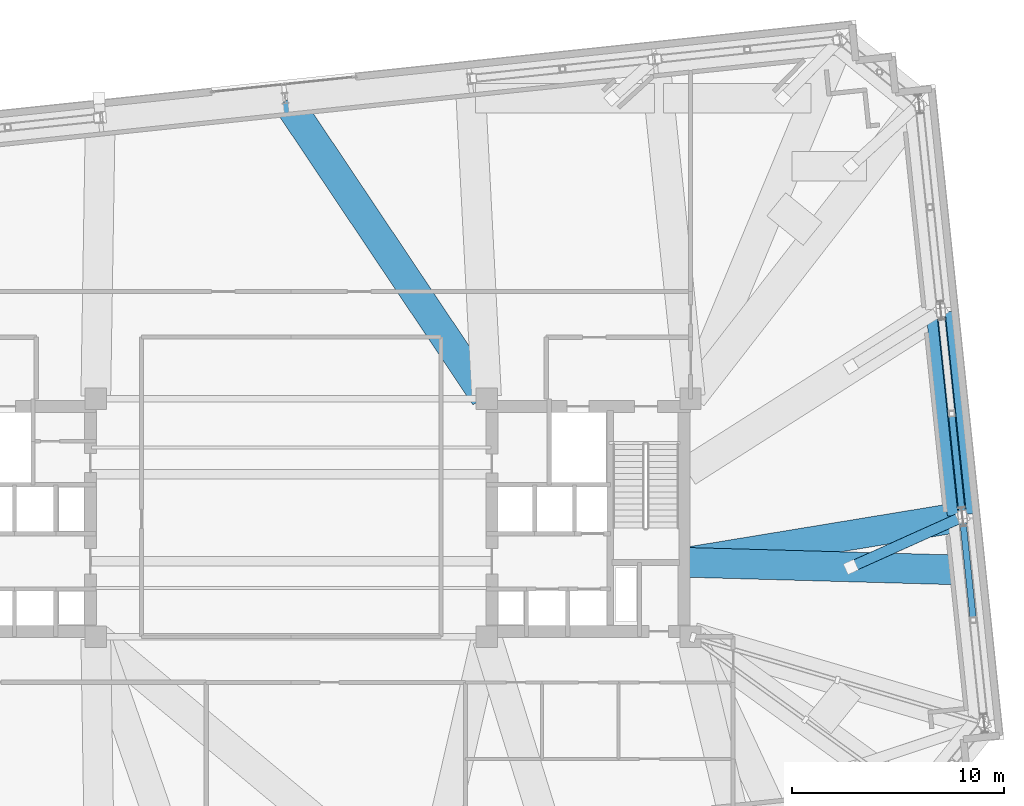
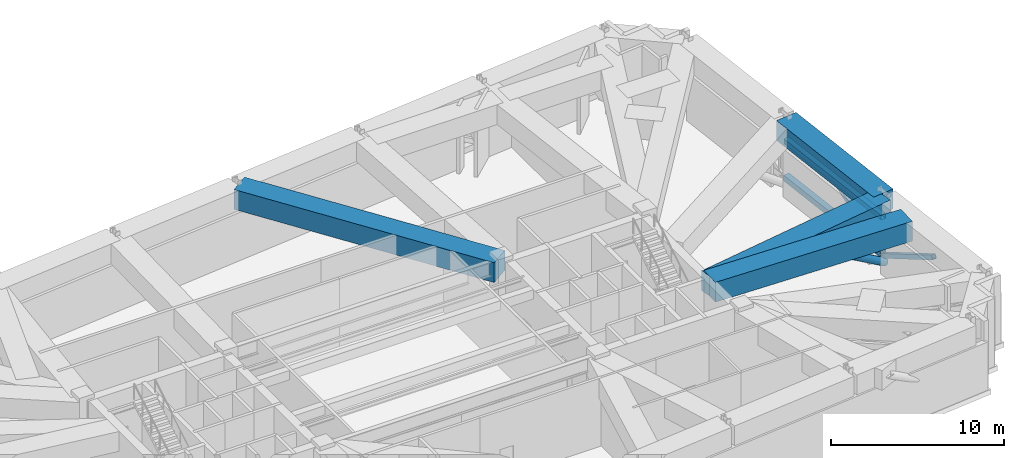
# One storey, part 11 of 23: 5 members, 4 beams.
"""IFC4 building model written with IfcOpenShell, lengths in metres."""

from ifc_helpers import new_model, si_unit, direction, frame, origin, origin_2d, place, context, subcontext, project, spatial, rectangle, hollow_rectangle, hollow_circle, extrude, material, material_profile, profile_set, type_object, element, save


model = new_model("IFC4")

# Units and contexts
model_context = context("Model", 3, precision=1e-05, world=origin(), true_north=direction((0.0, 1.0)))
body_context = subcontext(model_context, "Body", "Model", "MODEL_VIEW")
ifc_project = project(units=[si_unit("LENGTHUNIT", "METRE"), si_unit("AREAUNIT", "SQUARE_METRE"), si_unit("VOLUMEUNIT", "CUBIC_METRE"), si_unit("PLANEANGLEUNIT", "RADIAN"), si_unit("MASSUNIT", "GRAM", prefix="KILO")], contexts=[model_context])

# Site, building, storey
site_placement = place(None, origin())
site = spatial("IfcSite", under=ifc_project, at=site_placement, CompositionType="ELEMENT")
building_placement = place(site_placement, origin())
building = spatial("IfcBuilding", under=site, at=building_placement, Name="Qobustan Lattice House", CompositionType="ELEMENT")
storey_placement = place(building_placement, frame((0.0, 0.0, 125.89990234375)))
storey = spatial("IfcBuildingStorey", under=building, at=storey_placement, Name="L35", CompositionType="ELEMENT", Elevation=125.89990234375)

# Beams
ifc_material_1 = material(Name="Concrete C60/75", Category="concrete")
ifc_material_profile_1 = material_profile(ifc_material_1, rectangle(XDim=1.39990234375, YDim=1.39990234375, at=origin_2d()), Name="RC1400x1400")
ifc_profile_set_1 = profile_set([ifc_material_profile_1], Name="Concrete C60/75")
beam_type = type_object("IfcBeamType", Name="BM-TRG-RC1400", PredefinedType="USERDEFINED", material=ifc_profile_set_1)
beam_1_placement = place(storey_placement, frame((31.58740234375, 0.14208984375, 4.1201171875), z_axis=(-0.104502789515, 0.994524593453, 0.0), x_axis=(-0.994524593453, -0.104502789515, 0.0)))
element("IfcBeam", 1, at=beam_1_placement, inside=storey, type_object=beam_type, Name="L35 TT2 lower perimeter transfer girder E2-E3", ObjectType="GIRDER", PredefinedType="USERDEFINED", context=body_context, shape_type="SweptSolid", body=[
    extrude(rectangle(XDim=1.39990234375, YDim=1.39990234375, at=origin_2d()), origin(), (0.0, 0.0, 1.0), 9.56689453125),
])
beam_2_placement = place(storey_placement, frame((18.66845703125, -2.08056640625, 4.1201171875), z_axis=(0.986783482185, 0.162044312726, 0.0), x_axis=(-0.162044312726, 0.986783482185, 0.0)))
element("IfcBeam", 2, at=beam_2_placement, inside=storey, type_object=beam_type, Name="L35 TT2 radial transfer girder E2", ObjectType="GIRDER", PredefinedType="USERDEFINED", context=body_context, shape_type="SweptSolid", body=[
    extrude(rectangle(XDim=1.39990234375, YDim=1.39990234375, at=origin_2d()), origin(), (0.0, 0.0, 1.0), 12.982666015625),
])
beam_3_placement = place(storey_placement, frame((9.13330078125, 5.69970703125, 4.1201171875), z_axis=(-0.556848398531, 0.830614146914, 0.0), x_axis=(-0.830614146914, -0.556848398531, 0.0)))
element("IfcBeam", 3, at=beam_3_placement, inside=storey, type_object=beam_type, Name="L35 TT2 radial transfer girder N4", ObjectType="GIRDER", PredefinedType="USERDEFINED", context=body_context, shape_type="SweptSolid", body=[
    extrude(rectangle(XDim=1.39990234375, YDim=1.39990234375, at=origin_2d()), origin(), (0.0, 0.0, 1.0), 16.796875),
])
beam_4_placement = place(storey_placement, frame((18.669921875, -2.103271484375, 4.1201171875), z_axis=(0.999614391642, -0.027768111606, 0.0), x_axis=(0.027768111606, 0.999614391642, 0.0)))
element("IfcBeam", 4, at=beam_4_placement, inside=storey, type_object=beam_type, Name="L35 TT2 primary column transfer girder E2", ObjectType="GIRDER", PredefinedType="USERDEFINED", context=body_context, shape_type="SweptSolid", body=[
    extrude(rectangle(XDim=1.39990234375, YDim=1.39990234375, at=origin_2d()), origin(), (0.0, 0.0, 1.0), 12.97705078125),
])

# Members
ifc_material_2 = material(Name="Steel S355", Category="steel")
ifc_material_profile_2 = material_profile(ifc_material_2, hollow_rectangle(XDim=0.300048828125, YDim=0.300048828125, WallThickness=0.01611328125, at=origin_2d()), Name="SHS300x300x16")
ifc_profile_set_2 = profile_set([ifc_material_profile_2], Name="Steel S355")
member_type_1 = type_object("IfcMemberType", Name="MEM-BRC-SHS300", PredefinedType="BRACE", material=ifc_profile_set_2)
member_1_placement = place(storey_placement, frame((32.1083984375, -4.81396484375, 3.14013671875), z_axis=(-0.091919893425, 0.874540587592, -0.476161205736), x_axis=(-0.994521662032, -0.104530683287, 0.0)))
element("IfcMember", 5, at=member_1_placement, inside=storey, type_object=member_type_1, Name="L35 TT2 belt truss web diagonal E1-E2 B", PredefinedType="BRACE", context=body_context, shape_type="SweptSolid", body=[
    extrude(hollow_rectangle(XDim=0.300048828125, YDim=0.300048828125, WallThickness=0.01611328125, at=origin_2d()), origin(), (0.0, 0.0, 1.0), 5.439453125),
])
member_2_placement = place(storey_placement, frame((31.58740234375, 0.14208984375, 0.550048828125), z_axis=(-0.091871783432, 0.874554749365, 0.476144479935), x_axis=(-0.994527523959, -0.104474896928, 0.0)))
element("IfcMember", 6, at=member_2_placement, inside=storey, type_object=member_type_1, Name="L35 TT2 belt truss web diagonal E2-E3 A", PredefinedType="BRACE", context=body_context, shape_type="SweptSolid", body=[
    extrude(hollow_rectangle(XDim=0.300048828125, YDim=0.300048828125, WallThickness=0.01611328125, at=origin_2d()), origin(), (0.0, 0.0, 1.0), 5.439697265625),
])
ifc_material_3 = material(Name="Steel S355", Category="steel")
ifc_material_profile_3 = material_profile(ifc_material_3, hollow_rectangle(XDim=0.35009765625, YDim=0.35009765625, WallThickness=0.01611328125, at=origin_2d()), Name="SHS350x350x16")
ifc_profile_set_3 = profile_set([ifc_material_profile_3], Name="Steel S355")
member_type_2 = type_object("IfcMemberType", Name="MEM-CHD-SHS350", PredefinedType="CHORD", material=ifc_profile_set_3)
member_3_placement = place(storey_placement, frame((31.58740234375, 0.14208984375, 3.14013671875), z_axis=(-0.104502789515, 0.994524593453, 0.0), x_axis=(-0.994524593453, -0.104502789515, 0.0)))
element("IfcMember", 7, at=member_3_placement, inside=storey, type_object=member_type_2, Name="L35 TT2 belt truss top chord E2-E3", PredefinedType="CHORD", context=body_context, shape_type="SweptSolid", body=[
    extrude(hollow_rectangle(XDim=0.35009765625, YDim=0.35009765625, WallThickness=0.01611328125, at=origin_2d()), origin(), (0.0, 0.0, 1.0), 9.56689453125),
])
ifc_material_4 = material(Name="Steel S355", Category="steel")
ifc_material_profile_4 = material_profile(ifc_material_4, hollow_rectangle(XDim=0.39990234375, YDim=0.39990234375, WallThickness=0.02001953125, at=origin_2d()), Name="SHS400x400x20")
ifc_profile_set_4 = profile_set([ifc_material_profile_4], Name="Steel S355")
member_type_3 = type_object("IfcMemberType", Name="MEM-CHD-SHS400", PredefinedType="CHORD", material=ifc_profile_set_4)
member_4_placement = place(storey_placement, frame((31.58740234375, 0.14208984375, 0.550048828125), z_axis=(-0.104502789515, 0.994524593453, 0.0), x_axis=(-0.994524593453, -0.104502789515, 0.0)))
element("IfcMember", 8, at=member_4_placement, inside=storey, type_object=member_type_3, Name="L35 TT2 belt truss bottom chord E2-E3", PredefinedType="CHORD", context=body_context, shape_type="SweptSolid", body=[
    extrude(hollow_rectangle(XDim=0.39990234375, YDim=0.39990234375, WallThickness=0.02001953125, at=origin_2d()), origin(), (0.0, 0.0, 1.0), 9.56689453125),
])
ifc_material_5 = material(Name="Steel S355", Category="steel")
ifc_material_profile_5 = material_profile(ifc_material_5, hollow_circle(Radius=0.25390625, WallThickness=0.02001953125, at=origin_2d()), Name="CHS508x20")
ifc_profile_set_5 = profile_set([ifc_material_profile_5], Name="Steel S355")
member_type_4 = type_object("IfcMemberType", Name="MEM-STR-CHS508", PredefinedType="STRUT", material=ifc_profile_set_5)
member_5_placement = place(storey_placement, frame((31.597900390625, 0.042724609375, 0.01513671875), z_axis=(-0.742471093157, -0.333809753165, 0.580781993968), x_axis=(0.410055902281, -0.912060391095, 0.0)))
element("IfcMember", 9, at=member_5_placement, inside=storey, type_object=member_type_4, Name="L35 TT2 column transfer strut E2", PredefinedType="STRUT", context=body_context, shape_type="SweptSolid", body=[
    extrude(hollow_circle(Radius=0.25390625, WallThickness=0.02001953125, at=origin_2d()), origin(), (0.0, 0.0, 1.0), 7.068115234375),
])

save(model, "model.ifc")
